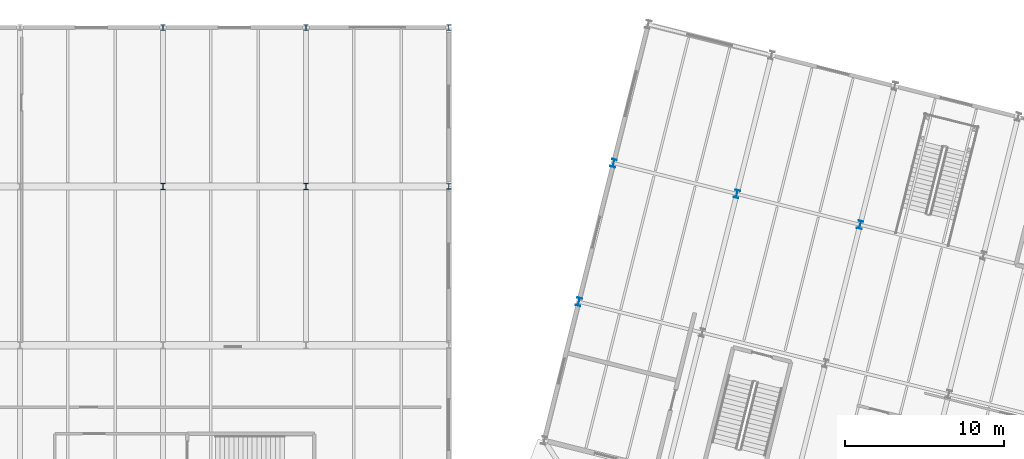
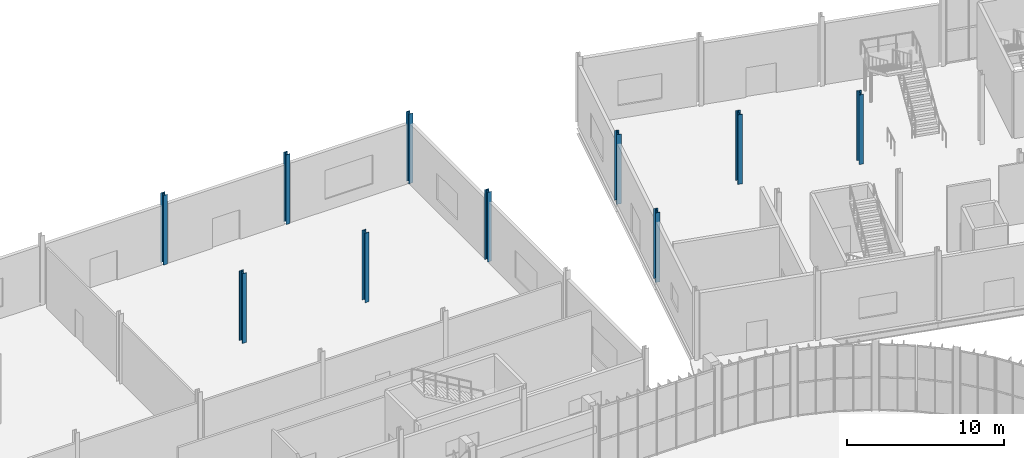
# One storey, part 18 of 158: 10 columns.
"""IFC4 building model written with IfcOpenShell, lengths in metres."""

from ifc_helpers import new_model, si_unit, derived_unit, direction, frame, origin, origin_2d, place, context, subcontext, project, spatial, i_section, extrude, material, material_profile, profile_set, type_object, element, save


model = new_model("IFC4")

# Units and contexts
model_context = context("Model", 3, precision=1e-05, world=origin(), true_north=direction((0.0, 1.0)))
body_context = subcontext(model_context, "Body", "Model", "MODEL_VIEW")
ifc_project = project(units=[si_unit("LENGTHUNIT", "METRE"), si_unit("AREAUNIT", "SQUARE_METRE"), si_unit("VOLUMEUNIT", "CUBIC_METRE"), si_unit("PLANEANGLEUNIT", "RADIAN"), si_unit("MASSUNIT", "GRAM", prefix="KILO"), si_unit("THERMODYNAMICTEMPERATUREUNIT", "KELVIN"), si_unit("TIMEUNIT", "SECOND"), derived_unit("THERMALTRANSMITTANCEUNIT", [(si_unit("MASSUNIT", "GRAM", prefix="KILO"), 1), (si_unit("THERMODYNAMICTEMPERATUREUNIT", "KELVIN"), -1), (si_unit("TIMEUNIT", "SECOND"), -3)])], contexts=[model_context])

# Site, building, storey
site_placement = place(None, origin())
site = spatial("IfcSite", under=ifc_project, at=site_placement, CompositionType="ELEMENT")
building_placement = place(site_placement, origin())
building = spatial("IfcBuilding", under=site, at=building_placement, Name="Cambertide Market Hall", CompositionType="ELEMENT")
storey_placement = place(building_placement, origin())
storey = spatial("IfcBuildingStorey", under=building, at=storey_placement, Name="L01", CompositionType="ELEMENT", Elevation=0.0)

# Columns
ifc_material_1 = material(Name="Steel S355", Category="steel")
ifc_material_profile_1 = material_profile(ifc_material_1, i_section(OverallWidth=0.300048828125, OverallDepth=0.360107421875, WebThickness=0.012451171875, FlangeThickness=0.0224609375, FilletRadius=0.027099609375, at=origin_2d()), Name="HEB 360")
ifc_profile_set_1 = profile_set([ifc_material_profile_1], Name="Steel S355")
column_type_1 = type_object("IfcColumnType", Name="Exterior Steel Column HEB 360", PredefinedType="COLUMN", material=ifc_profile_set_1)
for number, where, z_axis, x_axis, name in (
    (1, (84.0, 126.0, 0.0), (0.0, 0.0, 1.0), (1.0, 0.0, 0.0), "Level 1 Column COL-V2-9-4-L01"),
    (2, (93.0, 126.0, 0.0), (0.0, 0.0, 1.0), (1.0, 0.0, 0.0), "Level 1 Column COL-V2-10-4-L01"),
    (3, (102.0, 116.0, 0.0), (0.0, 0.0, 1.0), (1.0, 0.0, 0.0), "Level 1 Column COL-V2-11-3-L01"),
    (4, (102.0, 126.0, 0.0), (0.0, 0.0, 1.0), (1.0, 0.0, 0.0), "Level 1 Column COL-V2-11-4-L01"),
):
    element("IfcColumn", number, at=place(storey_placement, frame(where, z_axis=z_axis, x_axis=x_axis)), inside=storey, type_object=column_type_1, Name=name, PredefinedType="COLUMN", context=body_context, shape_type="SweptSolid", body=[
        extrude(i_section(OverallWidth=0.300048828125, OverallDepth=0.360107421875, WebThickness=0.012451171875, FlangeThickness=0.0224609375, FilletRadius=0.027099609375, at=origin_2d()), origin(), (0.0, 0.0, 1.0), 5.39990234375),
    ])
ifc_material_2 = material(Name="Steel S355", Category="steel")
ifc_material_profile_2 = material_profile(ifc_material_2, i_section(OverallWidth=0.300048828125, OverallDepth=0.5, WebThickness=0.014404296875, FlangeThickness=0.028076171875, FilletRadius=0.027099609375, at=origin_2d()), Name="HEB 500")
ifc_profile_set_2 = profile_set([ifc_material_profile_2], Name="Steel S355")
column_type_2 = type_object("IfcColumnType", Name="Exterior Steel Column HEB 500", PredefinedType="COLUMN", material=ifc_profile_set_2)
for number, where, z_axis, x_axis, name in (
    (5, (110.182861328125, 108.731201171875, 0.0), (0.0, 0.0, 1.0), (0.970142500145, -0.242535625038, 0.0), "Level 1 Column COL-V4-1-2-L01"),
    (6, (112.36572265625, 117.462646484375, 0.0), (0.0, 0.0, 1.0), (0.970142500145, -0.242535625038, 0.0), "Level 1 Column COL-V4-1-3-L01"),
):
    element("IfcColumn", number, at=place(storey_placement, frame(where, z_axis=z_axis, x_axis=x_axis)), inside=storey, type_object=column_type_2, Name=name, PredefinedType="COLUMN", context=body_context, shape_type="SweptSolid", body=[
        extrude(i_section(OverallWidth=0.300048828125, OverallDepth=0.5, WebThickness=0.014404296875, FlangeThickness=0.028076171875, FilletRadius=0.027099609375, at=origin_2d()), origin(), (0.0, 0.0, 1.0), 5.39990234375),
    ])
ifc_material_3 = material(Name="Steel S355", Category="steel")
ifc_material_profile_3 = material_profile(ifc_material_3, i_section(OverallWidth=0.300048828125, OverallDepth=0.39990234375, WebThickness=0.013427734375, FlangeThickness=0.02392578125, FilletRadius=0.027099609375, at=origin_2d()), Name="HEB 400")
ifc_profile_set_3 = profile_set([ifc_material_profile_3], Name="Steel S355")
column_type_3 = type_object("IfcColumnType", Name="Steel Column HEB 400", PredefinedType="COLUMN", material=ifc_profile_set_3)
for number, where, z_axis, x_axis, name in (
    (7, (84.0, 116.0, 0.0), (0.0, 0.0, 1.0), (1.0, 0.0, 0.0), "Level 1 Column COL-V2-9-3-L01"),
    (8, (93.0, 116.0, 0.0), (0.0, 0.0, 1.0), (1.0, 0.0, 0.0), "Level 1 Column COL-V2-10-3-L01"),
):
    element("IfcColumn", number, at=place(storey_placement, frame(where, z_axis=z_axis, x_axis=x_axis)), inside=storey, type_object=column_type_3, Name=name, PredefinedType="COLUMN", context=body_context, shape_type="SweptSolid", body=[
        extrude(i_section(OverallWidth=0.300048828125, OverallDepth=0.39990234375, WebThickness=0.013427734375, FlangeThickness=0.02392578125, FilletRadius=0.027099609375, at=origin_2d()), origin(), (0.0, 0.0, 1.0), 5.39990234375),
    ])
ifc_material_4 = material(Name="Steel S355", Category="steel")
ifc_material_profile_4 = material_profile(ifc_material_4, i_section(OverallWidth=0.300048828125, OverallDepth=0.5, WebThickness=0.014404296875, FlangeThickness=0.028076171875, FilletRadius=0.027099609375, at=origin_2d()), Name="HEB 500")
ifc_profile_set_4 = profile_set([ifc_material_profile_4], Name="Steel S355")
column_type_4 = type_object("IfcColumnType", Name="Steel Column HEB 500", PredefinedType="COLUMN", material=ifc_profile_set_4)
for number, where, z_axis, x_axis, name in (
    (9, (120.126708984375, 115.522216796875, 0.0), (0.0, 0.0, 1.0), (0.970142500145, -0.242535625038, 0.0), "Level 1 Column COL-V4-2-3-L01"),
    (10, (127.887939453125, 113.58203125, 0.0), (0.0, 0.0, 1.0), (0.970142500145, -0.242535625038, 0.0), "Level 1 Column COL-V4-3-3-L01"),
):
    element("IfcColumn", number, at=place(storey_placement, frame(where, z_axis=z_axis, x_axis=x_axis)), inside=storey, type_object=column_type_4, Name=name, PredefinedType="COLUMN", context=body_context, shape_type="SweptSolid", body=[
        extrude(i_section(OverallWidth=0.300048828125, OverallDepth=0.5, WebThickness=0.014404296875, FlangeThickness=0.028076171875, FilletRadius=0.027099609375, at=origin_2d()), origin(), (0.0, 0.0, 1.0), 5.39990234375),
    ])

save(model, "model.ifc")
